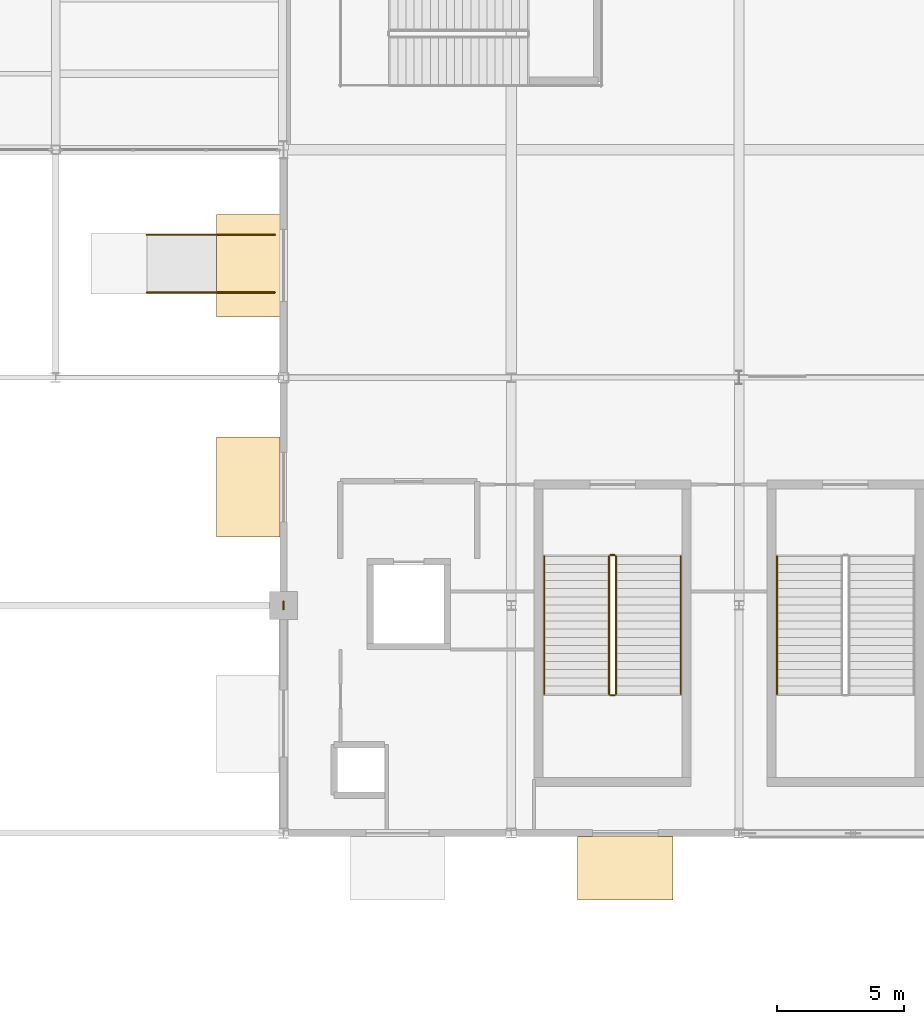
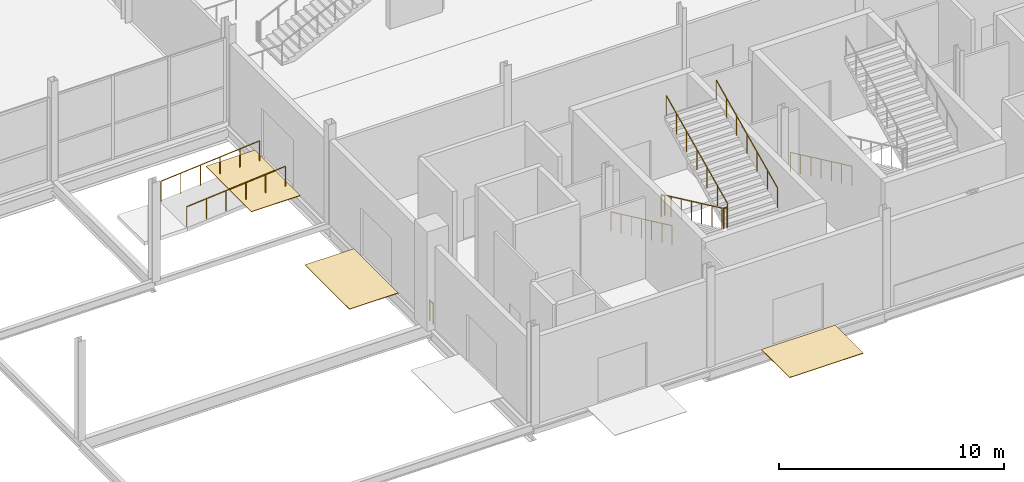
# One storey, part 83 of 94: 10 railings, 3 coverings.
"""IFC4 building model written with IfcOpenShell, lengths in metres."""

from ifc_helpers import new_model, si_unit, direction, frame, origin, origin_2d, place, context, subcontext, project, spatial, rectangle, circle, extrude, material, layer, layer_set, type_object, element, save


model = new_model("IFC4")

# Units and contexts
model_context = context("Model", 3, precision=1e-05, world=origin(), true_north=direction((0.0, 1.0)))
body_context = subcontext(model_context, "Body", "Model", "MODEL_VIEW")
ifc_project = project(units=[si_unit("LENGTHUNIT", "METRE"), si_unit("AREAUNIT", "SQUARE_METRE"), si_unit("VOLUMEUNIT", "CUBIC_METRE"), si_unit("PLANEANGLEUNIT", "RADIAN"), si_unit("MASSUNIT", "GRAM", prefix="KILO")], contexts=[model_context])

# Site, building, storey
site_placement = place(None, origin())
site = spatial("IfcSite", under=ifc_project, at=site_placement, CompositionType="ELEMENT")
building_placement = place(site_placement, origin())
building = spatial("IfcBuilding", under=site, at=building_placement, Name="Qamarlyn Nura Convention Centre", CompositionType="ELEMENT")
storey_placement = place(building_placement, origin())
storey = spatial("IfcBuildingStorey", under=building, at=storey_placement, Name="L00", CompositionType="ELEMENT", Elevation=0.0)

# Coverings
ifc_material_1 = material(Name="Polished coastal aggregate terrazzo")
ifc_layer = layer(ifc_material_1, 0.030029296875, Name="COV-FLOOR-TERR")
ifc_layer_set = layer_set([ifc_layer], Name="Polished coastal aggregate terrazzo")
covering_type = type_object("IfcCoveringType", Name="COV-FLOOR-TERR", PredefinedType="FLOORING", material=ifc_layer_set)
covering_1_placement = place(storey_placement, frame((166.50634765625, -1.389892578125, -0.02978515625), z_axis=(0.0, 0.0, 1.0), x_axis=(-1.0, 0.0, 0.0)))
element("IfcCovering", 1, at=covering_1_placement, inside=storey, type_object=covering_type, Name="Exterior exit threshold apron E-44", PredefinedType="FLOORING", context=body_context, shape_type="SweptSolid", body=[
    extrude(rectangle(XDim=3.780029296875, YDim=2.5, at=origin_2d()), origin(), (0.0, 0.0, 1.0), 0.030029296875),
])
covering_2_placement = place(storey_placement, frame((151.610107421875, 13.675048828125, -0.02978515625), z_axis=(0.0, 0.0, 1.0), x_axis=(0.0, 1.0, 0.0)))
element("IfcCovering", 2, at=covering_2_placement, inside=storey, type_object=covering_type, Name="Exterior exit threshold apron E-46", PredefinedType="FLOORING", context=body_context, shape_type="SweptSolid", body=[
    extrude(rectangle(XDim=3.949951171875, YDim=2.5, at=origin_2d()), origin(), (0.0, 0.0, 1.0), 0.030029296875),
])
covering_3_placement = place(storey_placement, frame((151.610107421875, 22.42626953125, -0.02978515625), z_axis=(0.0, 0.0, 1.0), x_axis=(0.0, 1.0, 0.0)))
element("IfcCovering", 3, at=covering_3_placement, inside=storey, type_object=covering_type, Name="Exterior exit threshold apron E-47", PredefinedType="FLOORING", context=body_context, shape_type="SweptSolid", body=[
    extrude(rectangle(XDim=4.050048828125, YDim=2.5, at=origin_2d()), origin(), (0.0, 0.0, 1.0), 0.030029296875),
])

# Railings
ifc_material_2 = material(Name="Marine Grade 316 stainless steel", Category="steel")
railing_type_1 = type_object("IfcRailingType", Name="GRD-STAIR-112", PredefinedType="BALUSTRADE", material=ifc_material_2)
railing_1_placement = place(storey_placement, frame((165.860107421875, 10.93994140625, 0.14990234375)))
element("IfcRailing", 4, at=railing_1_placement, inside=storey, type_object=railing_type_1, Name="L00 ST-09 stair guard 1", PredefinedType="BALUSTRADE", context=body_context, shape_type="SweptSolid", body=[
    extrude(circle(Radius=0.02392578125, at=origin_2d()), frame((0.0, 0.0, 1.09619140625), z_axis=(0.0, -0.90545405566, 0.424444287379), x_axis=(1.0, 0.0, 0.0)), (0.0, 0.0, 1.0), 6.008056640625),
    extrude(circle(Radius=0.02099609375, at=origin_2d()), origin(), (0.0, 0.0, 1.0), 1.070068359375),
    extrude(circle(Radius=0.02099609375, at=origin_2d()), frame((0.0, -0.90673828125, 0.425048828125)), (0.0, 0.0, 1.0), 1.070068359375),
    extrude(circle(Radius=0.02099609375, at=origin_2d()), frame((0.0, -1.813232421875, 0.85009765625)), (0.0, 0.0, 1.0), 1.070068359375),
    extrude(circle(Radius=0.02099609375, at=origin_2d()), frame((0.0, -2.719970703125, 1.27490234375)), (0.0, 0.0, 1.0), 1.070068359375),
    extrude(circle(Radius=0.02099609375, at=origin_2d()), frame((0.0, -3.626708984375, 1.699951171875)), (0.0, 0.0, 1.0), 1.070068359375),
    extrude(circle(Radius=0.02099609375, at=origin_2d()), frame((0.0, -4.533203125, 2.125)), (0.0, 0.0, 1.0), 1.070068359375),
    extrude(circle(Radius=0.02099609375, at=origin_2d()), frame((0.0, -5.43994140625, 2.550048828125)), (0.0, 0.0, 1.0), 1.070068359375),
])
railing_2_placement = place(storey_placement, frame((165.909912109375, 5.449951171875, 2.699951171875)))
element("IfcRailing", 5, at=railing_2_placement, inside=storey, type_object=railing_type_1, Name="L00 ST-09 stair guard 2", PredefinedType="BALUSTRADE", context=body_context, shape_type="SweptSolid", body=[
    extrude(circle(Radius=0.02392578125, at=origin_2d()), frame((0.0, 0.0, 1.09619140625), z_axis=(1.0, 0.0, 0.0), x_axis=(0.0, 1.0, 0.0)), (0.0, 0.0, 1.0), 0.18017578125),
    extrude(circle(Radius=0.02099609375, at=origin_2d()), origin(), (0.0, 0.0, 1.0), 1.070068359375),
    extrude(circle(Radius=0.02099609375, at=origin_2d()), frame((0.18017578125, 0.0, 0.0)), (0.0, 0.0, 1.0), 1.070068359375),
])
railing_3_placement = place(storey_placement, frame((166.139892578125, 5.5, 2.85009765625)))
element("IfcRailing", 6, at=railing_3_placement, inside=storey, type_object=railing_type_1, Name="L00 ST-09 stair guard 3", PredefinedType="BALUSTRADE", context=body_context, shape_type="SweptSolid", body=[
    extrude(circle(Radius=0.02392578125, at=origin_2d()), frame((0.0, 0.0, 1.09619140625), z_axis=(0.0, 0.90546967238, 0.424410971113), x_axis=(-1.0, 0.0, 0.0)), (0.0, 0.0, 1.0), 6.0078125),
    extrude(circle(Radius=0.02099609375, at=origin_2d()), origin(), (0.0, 0.0, 1.0), 1.070068359375),
    extrude(circle(Radius=0.02099609375, at=origin_2d()), frame((0.0, 0.90673828125, 0.425048828125)), (0.0, 0.0, 1.0), 1.070068359375),
    extrude(circle(Radius=0.02099609375, at=origin_2d()), frame((0.0, 1.813232421875, 0.849853515625)), (0.0, 0.0, 1.0), 1.070068359375),
    extrude(circle(Radius=0.02099609375, at=origin_2d()), frame((0.0, 2.719970703125, 1.27490234375)), (0.0, 0.0, 1.0), 1.070068359375),
    extrude(circle(Radius=0.02099609375, at=origin_2d()), frame((0.0, 3.626708984375, 1.699951171875)), (0.0, 0.0, 1.0), 1.070068359375),
    extrude(circle(Radius=0.02099609375, at=origin_2d()), frame((0.0, 4.533203125, 2.124755859375)), (0.0, 0.0, 1.0), 1.070068359375),
    extrude(circle(Radius=0.02099609375, at=origin_2d()), frame((0.0, 5.43994140625, 2.5498046875)), (0.0, 0.0, 1.0), 1.070068359375),
])
railing_4_placement = place(storey_placement, frame((165.909912109375, 10.989990234375, 0.0)))
element("IfcRailing", 7, at=railing_4_placement, inside=storey, type_object=railing_type_1, Name="L00 ST-09 stair guard 4", PredefinedType="BALUSTRADE", context=body_context, shape_type="SweptSolid", body=[
    extrude(circle(Radius=0.02392578125, at=origin_2d()), frame((0.0, 0.0, 1.09619140625), z_axis=(1.0, 0.0, 0.0), x_axis=(0.0, 1.0, 0.0)), (0.0, 0.0, 1.0), 0.18017578125),
    extrude(circle(Radius=0.02099609375, at=origin_2d()), origin(), (0.0, 0.0, 1.0), 1.070068359375),
    extrude(circle(Radius=0.02099609375, at=origin_2d()), frame((0.18017578125, 0.0, 0.0)), (0.0, 0.0, 1.0), 1.070068359375),
])
for number, where, name in (
    (8, (147.60009765625, 23.639892578125, -0.449951171875), "South Forecourt accessible entrance ramp PR-01 side guard L"),
    (9, (147.60009765625, 21.360107421875, -0.449951171875), "South Forecourt accessible entrance ramp PR-01 side guard R"),
):
    element("IfcRailing", number, at=place(storey_placement, frame(where)), inside=storey, type_object=railing_type_1, Name=name, PredefinedType="BALUSTRADE", context=body_context, shape_type="SweptSolid", body=[
        extrude(circle(Radius=0.02392578125, at=origin_2d()), frame((0.0, 0.0, 1.09619140625), z_axis=(0.996548415923, 0.0, 0.083013581543), x_axis=(0.0, 1.0, 0.0)), (0.0, 0.0, 1.0), 5.0673828125),
        extrude(circle(Radius=0.02099609375, at=origin_2d()), origin(), (0.0, 0.0, 1.0), 1.070068359375),
        extrude(circle(Radius=0.02099609375, at=origin_2d()), frame((1.010009765625, 0.0, 0.084228515625)), (0.0, 0.0, 1.0), 1.070068359375),
        extrude(circle(Radius=0.02099609375, at=origin_2d()), frame((2.02001953125, 0.0, 0.168212890625)), (0.0, 0.0, 1.0), 1.070068359375),
        extrude(circle(Radius=0.02099609375, at=origin_2d()), frame((3.02978515625, 0.0, 0.25244140625)), (0.0, 0.0, 1.0), 1.070068359375),
        extrude(circle(Radius=0.02099609375, at=origin_2d()), frame((4.039794921875, 0.0, 0.33642578125)), (0.0, 0.0, 1.0), 1.070068359375),
        extrude(circle(Radius=0.02099609375, at=origin_2d()), frame((5.0498046875, 0.0, 0.420654296875)), (0.0, 0.0, 1.0), 1.070068359375),
    ])
railing_type_2 = type_object("IfcRailingType", Name="GRD-VOID-112", PredefinedType="BALUSTRADE", material=ifc_material_2)
railing_5_placement = place(storey_placement, frame((153.0, 8.840087890625, 0.0)))
element("IfcRailing", 10, at=railing_5_placement, inside=storey, type_object=railing_type_2, Name="L00 slab edge balustrade guard 035", PredefinedType="BALUSTRADE", context=body_context, shape_type="SweptSolid", body=[
    extrude(circle(Radius=0.02392578125, at=origin_2d()), frame((0.0, 0.0, 1.09619140625), z_axis=(0.0, 1.0, 0.0), x_axis=(-1.0, 0.0, 0.0)), (0.0, 0.0, 1.0), 0.31982421875),
    extrude(circle(Radius=0.02099609375, at=origin_2d()), origin(), (0.0, 0.0, 1.0), 1.070068359375),
    extrude(circle(Radius=0.02099609375, at=origin_2d()), frame((0.0, 0.31982421875, 0.0)), (0.0, 0.0, 1.0), 1.070068359375),
])
railing_type_3 = type_object("IfcRailingType", Name="HRL-STAIR-090", PredefinedType="HANDRAIL", material=ifc_material_2)
railing_6_placement = place(storey_placement, frame((163.300048828125, 10.93994140625, 0.30224609375)))
element("IfcRailing", 11, at=railing_6_placement, inside=storey, type_object=railing_type_3, Name="L00 ST-09 stair handrail 1", PredefinedType="HANDRAIL", context=body_context, shape_type="SweptSolid", body=[
    extrude(circle(Radius=0.02392578125, at=origin_2d()), frame((0.0, 0.0, 0.88818359375), z_axis=(0.0, -0.90545405566, 0.424444287379), x_axis=(1.0, 0.0, 0.0)), (0.0, 0.0, 1.0), 6.008056640625),
    extrude(circle(Radius=0.02099609375, at=origin_2d()), frame((0.0, 0.0, -0.155029296875)), (0.0, 0.0, 1.0), 1.01708984375),
    extrude(circle(Radius=0.02099609375, at=origin_2d()), frame((0.0, -0.90673828125, 0.27001953125)), (0.0, 0.0, 1.0), 1.01708984375),
    extrude(circle(Radius=0.02099609375, at=origin_2d()), frame((0.0, -1.813232421875, 0.695068359375)), (0.0, 0.0, 1.0), 1.01708984375),
    extrude(circle(Radius=0.02099609375, at=origin_2d()), frame((0.0, -2.719970703125, 1.1201171875)), (0.0, 0.0, 1.0), 1.01708984375),
    extrude(circle(Radius=0.02099609375, at=origin_2d()), frame((0.0, -3.626708984375, 1.544921875)), (0.0, 0.0, 1.0), 1.01708984375),
    extrude(circle(Radius=0.02099609375, at=origin_2d()), frame((0.0, -4.533203125, 1.969970703125)), (0.0, 0.0, 1.0), 1.01708984375),
    extrude(circle(Radius=0.02099609375, at=origin_2d()), frame((0.0, -5.43994140625, 2.39501953125)), (0.0, 0.0, 1.0), 1.01708984375),
])
railing_7_placement = place(storey_placement, frame((168.699951171875, 5.5, 3.002197265625)))
element("IfcRailing", 12, at=railing_7_placement, inside=storey, type_object=railing_type_3, Name="L00 ST-09 stair handrail 2", PredefinedType="HANDRAIL", context=body_context, shape_type="SweptSolid", body=[
    extrude(circle(Radius=0.02392578125, at=origin_2d()), frame((0.0, 0.0, 0.88818359375), z_axis=(0.0, 0.90545405566, 0.424444287379), x_axis=(-1.0, 0.0, 0.0)), (0.0, 0.0, 1.0), 6.008056640625),
    extrude(circle(Radius=0.02099609375, at=origin_2d()), frame((0.0, 0.0, -0.155029296875)), (0.0, 0.0, 1.0), 1.01708984375),
    extrude(circle(Radius=0.02099609375, at=origin_2d()), frame((0.0, 0.90673828125, 0.27001953125)), (0.0, 0.0, 1.0), 1.01708984375),
    extrude(circle(Radius=0.02099609375, at=origin_2d()), frame((0.0, 1.813232421875, 0.695068359375)), (0.0, 0.0, 1.0), 1.01708984375),
    extrude(circle(Radius=0.02099609375, at=origin_2d()), frame((0.0, 2.719970703125, 1.1201171875)), (0.0, 0.0, 1.0), 1.01708984375),
    extrude(circle(Radius=0.02099609375, at=origin_2d()), frame((0.0, 3.626708984375, 1.544921875)), (0.0, 0.0, 1.0), 1.01708984375),
    extrude(circle(Radius=0.02099609375, at=origin_2d()), frame((0.0, 4.533203125, 1.969970703125)), (0.0, 0.0, 1.0), 1.01708984375),
    extrude(circle(Radius=0.02099609375, at=origin_2d()), frame((0.0, 5.43994140625, 2.39501953125)), (0.0, 0.0, 1.0), 1.01708984375),
])
railing_8_placement = place(storey_placement, frame((172.5, 10.93994140625, 0.30224609375)))
element("IfcRailing", 13, at=railing_8_placement, inside=storey, type_object=railing_type_3, Name="L00 ST-10 stair handrail 1", PredefinedType="HANDRAIL", context=body_context, shape_type="SweptSolid", body=[
    extrude(circle(Radius=0.02392578125, at=origin_2d()), frame((0.0, 0.0, 0.88818359375), z_axis=(0.0, -0.90545405566, 0.424444287379), x_axis=(1.0, 0.0, 0.0)), (0.0, 0.0, 1.0), 6.008056640625),
    extrude(circle(Radius=0.02099609375, at=origin_2d()), frame((0.0, 0.0, -0.155029296875)), (0.0, 0.0, 1.0), 1.01708984375),
    extrude(circle(Radius=0.02099609375, at=origin_2d()), frame((0.0, -0.90673828125, 0.27001953125)), (0.0, 0.0, 1.0), 1.01708984375),
    extrude(circle(Radius=0.02099609375, at=origin_2d()), frame((0.0, -1.813232421875, 0.695068359375)), (0.0, 0.0, 1.0), 1.01708984375),
    extrude(circle(Radius=0.02099609375, at=origin_2d()), frame((0.0, -2.719970703125, 1.1201171875)), (0.0, 0.0, 1.0), 1.01708984375),
    extrude(circle(Radius=0.02099609375, at=origin_2d()), frame((0.0, -3.626708984375, 1.544921875)), (0.0, 0.0, 1.0), 1.01708984375),
    extrude(circle(Radius=0.02099609375, at=origin_2d()), frame((0.0, -4.533203125, 1.969970703125)), (0.0, 0.0, 1.0), 1.01708984375),
    extrude(circle(Radius=0.02099609375, at=origin_2d()), frame((0.0, -5.43994140625, 2.39501953125)), (0.0, 0.0, 1.0), 1.01708984375),
])

save(model, "model.ifc")
